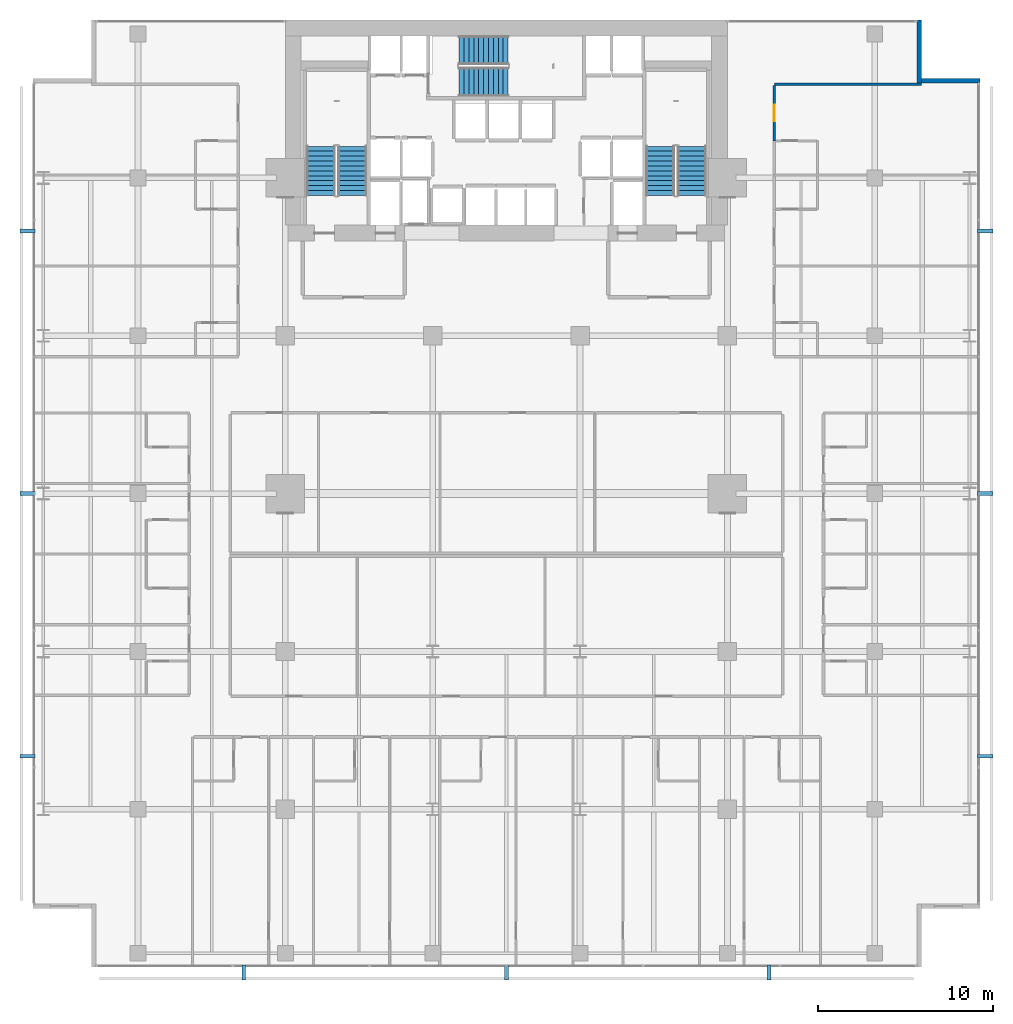
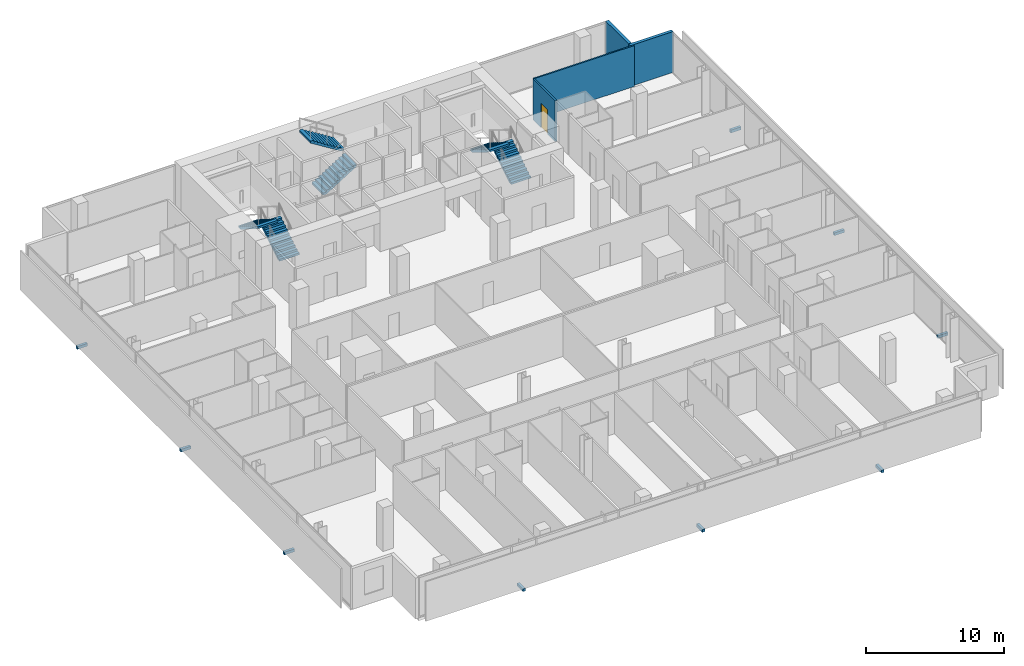
# One storey, part 38 of 40: 9 discrete accessories, 6 stair flights, 4 walls, 1 door, 1 opening, 3 elements without a shape of their own.
"""IFC4 building model written with IfcOpenShell, lengths in metres."""

from ifc_helpers import new_model, si_unit, direction, frame, frame_2d, origin, origin_2d, place, context, subcontext, project, spatial, polyline, rectangle, outline, extrude, material, layer, layer_set, type_object, element, fill, aggregate, save


model = new_model("IFC4")

# Units and contexts
model_context = context("Model", 3, precision=1e-05, world=origin(), true_north=direction((0.0, 1.0)))
body_context = subcontext(model_context, "Body", "Model", "MODEL_VIEW")
ifc_project = project(units=[si_unit("LENGTHUNIT", "METRE"), si_unit("AREAUNIT", "SQUARE_METRE"), si_unit("VOLUMEUNIT", "CUBIC_METRE"), si_unit("PLANEANGLEUNIT", "RADIAN"), si_unit("MASSUNIT", "GRAM", prefix="KILO")], contexts=[model_context])

# Site, building, storey
site_placement = place(None, origin())
site = spatial("IfcSite", under=ifc_project, at=site_placement, CompositionType="ELEMENT")
building_placement = place(site_placement, origin())
building = spatial("IfcBuilding", under=site, at=building_placement, Name="Maruvema Waterfront Hotel and Observation Tower", CompositionType="ELEMENT")
storey_placement = place(building_placement, frame((0.0, 0.0, 80.85009765625)))
storey = spatial("IfcBuildingStorey", under=building, at=storey_placement, Name="L19", CompositionType="ELEMENT", Elevation=80.85009765625)

# Wall, opening, door
ifc_material_1 = material(Name="Twin-stud acoustic gypsum drywall", Category="gypsum")
ifc_layer_1 = layer(ifc_material_1, 0.14990234375, Name="Acoustic Corridor and Suite Demising Wall 150 mm")
ifc_layer_set_1 = layer_set([ifc_layer_1], Name="Twin-stud acoustic gypsum drywall")
wall_type_1 = type_object("IfcWallType", Name="Acoustic Corridor and Suite Demising Wall 150 mm", PredefinedType="PARTITIONING", material=ifc_layer_set_1)
wall_1_placement = place(storey_placement, frame((53.080078125, 47.1083984375, 0.0), z_axis=(0.0, 0.0, 1.0), x_axis=(0.0, 1.0, 0.0)))
wall_1 = element("IfcWall", 1, at=wall_1_placement, inside=storey, type_object=wall_type_1, Name="L19 Room L19-NE3 Corridor Wall 137", PredefinedType="PARTITIONING", context=body_context, shape_type="SweptSolid", body=[
    extrude(rectangle(XDim=3.169189453125, YDim=0.14990234375, at=frame_2d((1.58447265625, 0.0))), origin(), (0.0, 0.0, 1.0), 3.60986328125),
])
opening_placement = place(wall_1_placement, frame((1.109619140625, 0.0, 0.0)))
opening = element("IfcOpeningElement", 2, at=opening_placement, cuts=wall_1, Name="Opening DR-095", PredefinedType="OPENING", context=body_context, shape_type="SweptSolid", body=[
    extrude(rectangle(XDim=0.949951171875, YDim=2.14990234375, at=frame_2d((0.47509765625, 1.074951171875))), frame((0.0, 0.0849609375, 0.0), z_axis=(0.0, -1.0, 0.0), x_axis=(1.0, 0.0, 0.0)), (0.0, 0.0, 1.0), 0.169921875),
])
ifc_material_2 = material(Name="Acoustic solid-core hardwood timber leaf", Category="wood")
door_type = type_object("IfcDoorType", Name="Guestroom Entrance Fire Door 950x2150 mm", OperationType="NOTDEFINED", PredefinedType="DOOR", material=ifc_material_2)
door_placement = place(opening_placement, frame((0.949951171875, 0.0, 0.0), z_axis=(0.0, 0.0, 1.0), x_axis=(-1.0, 0.0, 0.0)))
door = element("IfcDoor", 3, at=door_placement, inside=storey, type_object=door_type, Name="L19 Room L19-NE3 Entrance Door", OperationType="SINGLE_SWING_LEFT", OverallHeight=2.14990234375, OverallWidth=0.949951171875, PredefinedType="DOOR", context=body_context, shape_type="SweptSolid", body=[
    extrude(rectangle(XDim=0.949951171875, YDim=2.14990234375, at=frame_2d((0.47509765625, 1.074951171875))), frame((0.0, 0.02490234375, 0.0), z_axis=(0.0, -1.0, 0.0), x_axis=(1.0, 0.0, 0.0)), (0.0, 0.0, 1.0), 0.050048828125),
])
fill(opening, door)

# Walls
ifc_material_3 = material(Name="Precast concrete C45/55 with honed Pernambuco granite facing", Category="masonry")
ifc_layer_2 = layer(ifc_material_3, 0.260009765625, Name="Exterior Granite Clad Spandrel and Pier Wall 260 mm")
ifc_layer_set_2 = layer_set([ifc_layer_2], Name="Precast concrete C45/55 with honed Pernambuco granite facing")
wall_type_2 = type_object("IfcWallType", Name="Exterior Granite Clad Spandrel and Pier Wall 260 mm", PredefinedType="SOLIDWALL", material=ifc_layer_set_2)
for number, where, z_axis, x_axis, name in (
    (4, (61.330078125, 54.0, 0.0), (0.0, 0.0, 1.0), (0.0, -1.0, 0.0), "L19 Corner Notch Granite Pier Wall NE1"),
    (5, (61.199951171875, 50.530029296875, 0.0), (0.0, 0.0, 1.0), (1.0, 0.0, 0.0), "L19 Corner Notch Granite Pier Wall NE2"),
):
    element("IfcWall", number, at=place(storey_placement, frame(where, z_axis=z_axis, x_axis=x_axis)), inside=storey, type_object=wall_type_2, Name=name, PredefinedType="SOLIDWALL", context=body_context, shape_type="SweptSolid", body=[
        extrude(rectangle(XDim=3.60009765625, YDim=0.260009765625, at=frame_2d((1.800048828125, 0.0))), origin(), (0.0, 0.0, 1.0), 3.60986328125),
    ])
ifc_material_4 = material(Name="Acoustic gypsum plasterboard drywall", Category="gypsum")
ifc_layer_3 = layer(ifc_material_4, 0.125, Name="Guestroom Acoustic Demising Wall 125 mm")
ifc_layer_set_3 = layer_set([ifc_layer_3], Name="Acoustic gypsum plasterboard drywall")
wall_type_3 = type_object("IfcWallType", Name="Guestroom Acoustic Demising Wall 125 mm", PredefinedType="PARTITIONING", material=ifc_layer_set_3)
wall_2_placement = place(storey_placement, frame((53.080078125, 50.33740234375, 0.0), z_axis=(0.0, 0.0, 1.0), x_axis=(1.0, 0.0, 0.0)))
element("IfcWall", 6, at=wall_2_placement, inside=storey, type_object=wall_type_3, Name="L19 NE Top End 111", PredefinedType="PARTITIONING", context=body_context, shape_type="SweptSolid", body=[
    extrude(rectangle(XDim=8.3798828125, YDim=0.125, at=frame_2d((4.18994140625, 0.0))), origin(), (0.0, 0.0, 1.0), 3.60986328125),
])

# Stair, stair flights
ifc_material_5 = material(Name="Concrete C50/60", Category="concrete")
stair_type = type_object("IfcStairType", Name="Dogleg Exit Stair 1650 mm (22R x 175.0 mm)", PredefinedType="HALF_TURN_STAIR", material=ifc_material_5)
stair_1_placement = place(storey_placement, origin())
stair_1 = element("IfcStair", 7, at=stair_1_placement, inside=storey, type_object=stair_type, Name="L19 ST-01", PredefinedType="HALF_TURN_STAIR")
ifc_material_6 = material(Name="Concrete C50/60", Category="concrete")
stair_flight_type = type_object("IfcStairFlightType", Name="Reinforced Concrete Stair Flight 1650 mm (11R x 175.0 mm)", PredefinedType="STRAIGHT", material=ifc_material_6)
stair_flight_1_placement = place(storey_placement, frame((29.02490234375, 44.0, 0.0), z_axis=(0.0, 0.0, 1.0), x_axis=(0.0, 1.0, 0.0)))
stair_flight_1 = element("IfcStairFlight", 8, at=stair_flight_1_placement, type_object=stair_flight_type, Name="ST-01 flight 1", NumberOfRisers=11, NumberOfTreads=10, PredefinedType="STRAIGHT", RiserHeight=0.175, TreadLength=0.28, context=body_context, shape_type="SweptSolid", body=[
    extrude(outline(polyline([(0.0, 0.0), (0.0, 0.175048828125), (0.280029296875, 0.175048828125), (0.280029296875, 0.35009765625), (0.56005859375, 0.35009765625), (0.56005859375, 0.52490234375), (0.840087890625, 0.52490234375), (0.840087890625, 0.699951171875), (1.1201171875, 0.699951171875), (1.1201171875, 0.875), (1.39990234375, 0.875), (1.39990234375, 1.050048828125), (1.679931640625, 1.050048828125), (1.679931640625, 1.22509765625), (1.9599609375, 1.22509765625), (1.9599609375, 1.39990234375), (2.239990234375, 1.39990234375), (2.239990234375, 1.574951171875), (2.52001953125, 1.574951171875), (2.52001953125, 1.75), (2.800048828125, 1.75), (2.800048828125, 1.925048828125), (2.800048828125, 1.5732421875), (0.28271484375, 0.0), (0.0, 0.0)])), frame((0.0, 0.824951171875, 0.0), z_axis=(0.0, -1.0, 0.0), x_axis=(1.0, 0.0, 0.0)), (0.0, 0.0, 1.0), 1.64990234375),
])
stair_flight_2_placement = place(storey_placement, frame((27.22509765625, 46.800048828125, 1.9248046875), z_axis=(0.0, 0.0, 1.0), x_axis=(0.0, -1.0, 0.0)))
stair_flight_2 = element("IfcStairFlight", 9, at=stair_flight_2_placement, type_object=stair_flight_type, Name="ST-01 flight 2", NumberOfRisers=11, NumberOfTreads=10, PredefinedType="STRAIGHT", RiserHeight=0.175, TreadLength=0.28, context=body_context, shape_type="SweptSolid", body=[
    extrude(outline(polyline([(0.0, 0.0), (0.0, 0.175048828125), (0.280029296875, 0.175048828125), (0.280029296875, 0.35009765625), (0.56005859375, 0.35009765625), (0.56005859375, 0.52490234375), (0.840087890625, 0.52490234375), (0.840087890625, 0.699951171875), (1.1201171875, 0.699951171875), (1.1201171875, 0.875), (1.39990234375, 0.875), (1.39990234375, 1.050048828125), (1.679931640625, 1.050048828125), (1.679931640625, 1.22509765625), (1.9599609375, 1.22509765625), (1.9599609375, 1.39990234375), (2.239990234375, 1.39990234375), (2.239990234375, 1.574951171875), (2.52001953125, 1.574951171875), (2.52001953125, 1.75), (2.800048828125, 1.75), (2.800048828125, 1.925048828125), (2.800048828125, 1.5732421875), (0.28271484375, 0.0), (0.0, 0.0)])), frame((0.0, 0.824951171875, 0.0), z_axis=(0.0, -1.0, 0.0), x_axis=(1.0, 0.0, 0.0)), (0.0, 0.0, 1.0), 1.64990234375),
])
aggregate(stair_1, [stair_flight_1, stair_flight_2])

stair_2_placement = place(storey_placement, origin())
stair_2 = element("IfcStair", 10, at=stair_2_placement, inside=storey, type_object=stair_type, Name="L19 ST-02", PredefinedType="HALF_TURN_STAIR")
stair_flight_3_placement = place(storey_placement, frame((35.10009765625, 50.47509765625, 0.0), z_axis=(0.0, 0.0, 1.0), x_axis=(1.0, 0.0, 0.0)))
stair_flight_3 = element("IfcStairFlight", 11, at=stair_flight_3_placement, type_object=stair_flight_type, Name="ST-02 flight 1", NumberOfRisers=11, NumberOfTreads=10, PredefinedType="STRAIGHT", RiserHeight=0.175, TreadLength=0.28, context=body_context, shape_type="SweptSolid", body=[
    extrude(outline(polyline([(0.0, 0.0), (0.0, 0.175048828125), (0.280029296875, 0.175048828125), (0.280029296875, 0.35009765625), (0.56005859375, 0.35009765625), (0.56005859375, 0.52490234375), (0.840087890625, 0.52490234375), (0.840087890625, 0.699951171875), (1.1201171875, 0.699951171875), (1.1201171875, 0.875), (1.39990234375, 0.875), (1.39990234375, 1.050048828125), (1.679931640625, 1.050048828125), (1.679931640625, 1.22509765625), (1.9599609375, 1.22509765625), (1.9599609375, 1.39990234375), (2.239990234375, 1.39990234375), (2.239990234375, 1.574951171875), (2.52001953125, 1.574951171875), (2.52001953125, 1.75), (2.800048828125, 1.75), (2.800048828125, 1.925048828125), (2.800048828125, 1.5732421875), (0.28271484375, 0.0), (0.0, 0.0)])), frame((0.0, 0.824951171875, 0.0), z_axis=(0.0, -1.0, 0.0), x_axis=(1.0, 0.0, 0.0)), (0.0, 0.0, 1.0), 1.64990234375),
])
stair_flight_4_placement = place(storey_placement, frame((37.89990234375, 52.27490234375, 1.9248046875), z_axis=(0.0, 0.0, 1.0), x_axis=(-1.0, 0.0, 0.0)))
stair_flight_4 = element("IfcStairFlight", 12, at=stair_flight_4_placement, type_object=stair_flight_type, Name="ST-02 flight 2", NumberOfRisers=11, NumberOfTreads=10, PredefinedType="STRAIGHT", RiserHeight=0.175, TreadLength=0.28, context=body_context, shape_type="SweptSolid", body=[
    extrude(outline(polyline([(0.0, 0.0), (0.0, 0.175048828125), (0.280029296875, 0.175048828125), (0.280029296875, 0.35009765625), (0.56005859375, 0.35009765625), (0.56005859375, 0.52490234375), (0.840087890625, 0.52490234375), (0.840087890625, 0.699951171875), (1.1201171875, 0.699951171875), (1.1201171875, 0.875), (1.39990234375, 0.875), (1.39990234375, 1.050048828125), (1.679931640625, 1.050048828125), (1.679931640625, 1.22509765625), (1.9599609375, 1.22509765625), (1.9599609375, 1.39990234375), (2.239990234375, 1.39990234375), (2.239990234375, 1.574951171875), (2.52001953125, 1.574951171875), (2.52001953125, 1.75), (2.800048828125, 1.75), (2.800048828125, 1.925048828125), (2.800048828125, 1.5732421875), (0.28271484375, 0.0), (0.0, 0.0)])), frame((0.0, 0.824951171875, 0.0), z_axis=(0.0, -1.0, 0.0), x_axis=(1.0, 0.0, 0.0)), (0.0, 0.0, 1.0), 1.64990234375),
])
aggregate(stair_2, [stair_flight_3, stair_flight_4])

stair_3_placement = place(storey_placement, origin())
stair_3 = element("IfcStair", 13, at=stair_3_placement, inside=storey, type_object=stair_type, Name="L19 ST-03", PredefinedType="HALF_TURN_STAIR")
stair_flight_5_placement = place(storey_placement, frame((48.375, 44.0, 0.0), z_axis=(0.0, 0.0, 1.0), x_axis=(0.0, 1.0, 0.0)))
stair_flight_5 = element("IfcStairFlight", 14, at=stair_flight_5_placement, type_object=stair_flight_type, Name="ST-03 flight 1", NumberOfRisers=11, NumberOfTreads=10, PredefinedType="STRAIGHT", RiserHeight=0.175, TreadLength=0.28, context=body_context, shape_type="SweptSolid", body=[
    extrude(outline(polyline([(0.0, 0.0), (0.0, 0.175048828125), (0.280029296875, 0.175048828125), (0.280029296875, 0.35009765625), (0.56005859375, 0.35009765625), (0.56005859375, 0.52490234375), (0.840087890625, 0.52490234375), (0.840087890625, 0.699951171875), (1.1201171875, 0.699951171875), (1.1201171875, 0.875), (1.39990234375, 0.875), (1.39990234375, 1.050048828125), (1.679931640625, 1.050048828125), (1.679931640625, 1.22509765625), (1.9599609375, 1.22509765625), (1.9599609375, 1.39990234375), (2.239990234375, 1.39990234375), (2.239990234375, 1.574951171875), (2.52001953125, 1.574951171875), (2.52001953125, 1.75), (2.800048828125, 1.75), (2.800048828125, 1.925048828125), (2.800048828125, 1.5732421875), (0.28271484375, 0.0), (0.0, 0.0)])), frame((0.0, 0.824951171875, 0.0), z_axis=(0.0, -1.0, 0.0), x_axis=(1.0, 0.0, 0.0)), (0.0, 0.0, 1.0), 1.64990234375),
])
stair_flight_6_placement = place(storey_placement, frame((46.574951171875, 46.800048828125, 1.9248046875), z_axis=(0.0, 0.0, 1.0), x_axis=(0.0, -1.0, 0.0)))
stair_flight_6 = element("IfcStairFlight", 15, at=stair_flight_6_placement, type_object=stair_flight_type, Name="ST-03 flight 2", NumberOfRisers=11, NumberOfTreads=10, PredefinedType="STRAIGHT", RiserHeight=0.175, TreadLength=0.28, context=body_context, shape_type="SweptSolid", body=[
    extrude(outline(polyline([(0.0, 0.0), (0.0, 0.175048828125), (0.280029296875, 0.175048828125), (0.280029296875, 0.35009765625), (0.56005859375, 0.35009765625), (0.56005859375, 0.52490234375), (0.840087890625, 0.52490234375), (0.840087890625, 0.699951171875), (1.1201171875, 0.699951171875), (1.1201171875, 0.875), (1.39990234375, 0.875), (1.39990234375, 1.050048828125), (1.679931640625, 1.050048828125), (1.679931640625, 1.22509765625), (1.9599609375, 1.22509765625), (1.9599609375, 1.39990234375), (2.239990234375, 1.39990234375), (2.239990234375, 1.574951171875), (2.52001953125, 1.574951171875), (2.52001953125, 1.75), (2.800048828125, 1.75), (2.800048828125, 1.925048828125), (2.800048828125, 1.5732421875), (0.28271484375, 0.0), (0.0, 0.0)])), frame((0.0, 0.824951171875, 0.0), z_axis=(0.0, -1.0, 0.0), x_axis=(1.0, 0.0, 0.0)), (0.0, 0.0, 1.0), 1.64990234375),
])
aggregate(stair_3, [stair_flight_5, stair_flight_6])

# Discrete accessories
ifc_material_7 = material(Name="Duplex stainless steel Grade 2205", Category="steel")
discrete_accessory_type = type_object("IfcDiscreteAccessoryType", Name="Double-Skin Cavity Stainless Outrigger Bracket", PredefinedType="BRACKET", material=ifc_material_7)
for number, where, z_axis, x_axis, name in (
    (16, (22.823974609375, -0.300048828125, -0.14013671875), (0.0, 0.0, 1.0), (1.0, 0.0, 0.0), "L19 Outer Skin Support Bracket 1"),
    (17, (37.800048828125, -0.300048828125, -0.14013671875), (0.0, 0.0, 1.0), (1.0, 0.0, 0.0), "L19 Outer Skin Support Bracket 2"),
    (18, (52.77587890625, -0.300048828125, -0.14013671875), (0.0, 0.0, 1.0), (1.0, 0.0, 0.0), "L19 Outer Skin Support Bracket 3"),
    (19, (65.10009765625, 12.02392578125, -0.14013671875), (0.0, 0.0, 1.0), (0.0, 1.0, 0.0), "L19 Outer Skin Support Bracket 1"),
    (20, (65.10009765625, 27.0, -0.14013671875), (0.0, 0.0, 1.0), (0.0, 1.0, 0.0), "L19 Outer Skin Support Bracket 2"),
    (21, (65.10009765625, 41.97607421875, -0.14013671875), (0.0, 0.0, 1.0), (0.0, 1.0, 0.0), "L19 Outer Skin Support Bracket 3"),
    (22, (10.5, 41.97607421875, -0.14013671875), (0.0, 0.0, 1.0), (0.0, -1.0, 0.0), "L19 Outer Skin Support Bracket 1"),
    (23, (10.5, 27.0, -0.14013671875), (0.0, 0.0, 1.0), (0.0, -1.0, 0.0), "L19 Outer Skin Support Bracket 2"),
    (24, (10.5, 12.02392578125, -0.14013671875), (0.0, 0.0, 1.0), (0.0, -1.0, 0.0), "L19 Outer Skin Support Bracket 3"),
):
    element("IfcDiscreteAccessory", number, at=place(storey_placement, frame(where, z_axis=z_axis, x_axis=x_axis)), inside=storey, type_object=discrete_accessory_type, Name=name, PredefinedType="BRACKET", context=body_context, shape_type="SweptSolid", body=[
        extrude(rectangle(XDim=0.219970703125, YDim=0.860107421875, at=origin_2d()), origin(), (0.0, 0.0, 1.0), 0.239990234375),
    ])

save(model, "model.ifc")
